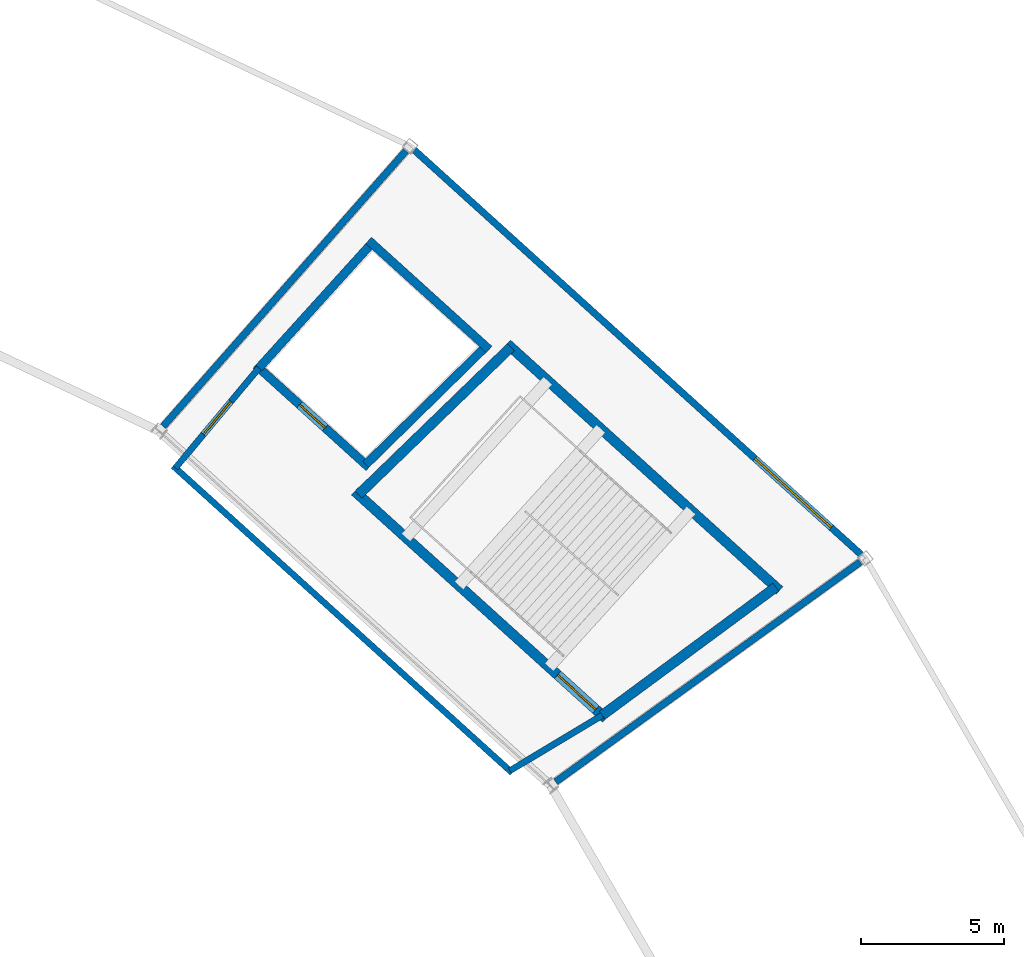
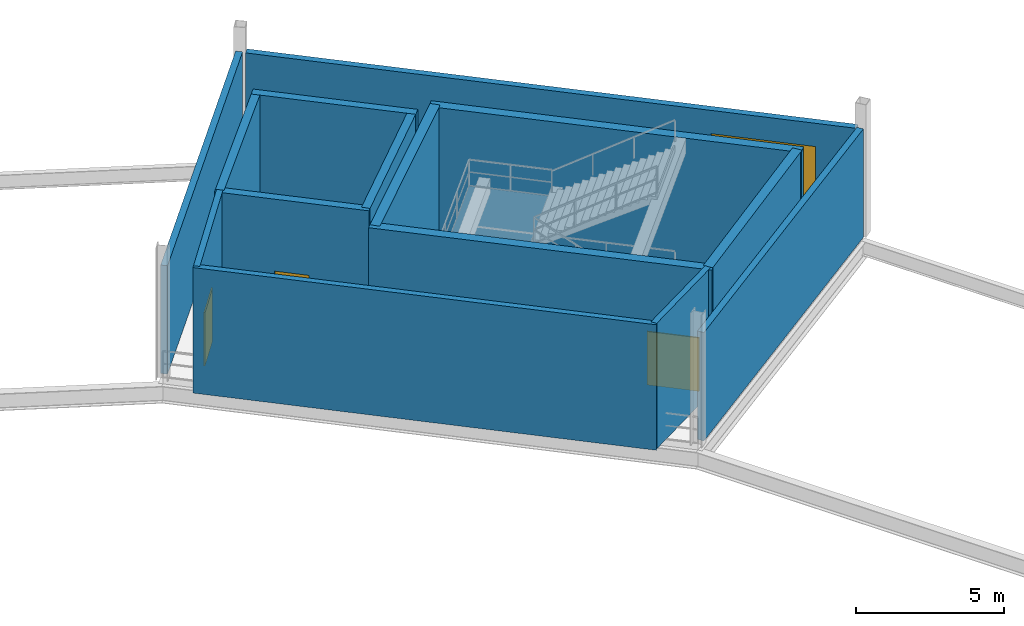
# One storey, part 73 of 86: 14 walls, 3 doors, 1 window, 4 openings.
"""IFC4 building model written with IfcOpenShell, lengths in metres."""

from ifc_helpers import new_model, si_unit, direction, frame, frame_2d, origin, place, context, subcontext, project, spatial, rectangle, extrude, material, layer, layer_set, type_object, element, fill, save


model = new_model("IFC4")

# Units and contexts
model_context = context("Model", 3, precision=1e-05, world=origin(), true_north=direction((0.0, 1.0)))
body_context = subcontext(model_context, "Body", "Model", "MODEL_VIEW")
ifc_project = project(units=[si_unit("LENGTHUNIT", "METRE"), si_unit("AREAUNIT", "SQUARE_METRE"), si_unit("VOLUMEUNIT", "CUBIC_METRE"), si_unit("PLANEANGLEUNIT", "RADIAN"), si_unit("MASSUNIT", "GRAM", prefix="KILO")], contexts=[model_context])

# Site, building, storey
site_placement = place(None, origin())
site = spatial("IfcSite", under=ifc_project, at=site_placement, CompositionType="ELEMENT")
building_placement = place(site_placement, origin())
building = spatial("IfcBuilding", under=site, at=building_placement, Name="Kazemori Nagisa Stadium", CompositionType="ELEMENT")
storey_placement = place(building_placement, frame((0.0, 0.0, 31.280029296875)))
storey = spatial("IfcBuildingStorey", under=building, at=storey_placement, Name="L06", CompositionType="ELEMENT", Elevation=31.280029296875)

# Wall, opening, door
ifc_material_1 = material(Name="Concrete C40/50 (Fc42)", Category="concrete")
ifc_layer_1 = layer(ifc_material_1, 0.35009765625, Name="Concrete C40/50 (Fc42)", Category="concrete")
ifc_layer_set_1 = layer_set([ifc_layer_1], Name="Concrete C40/50 (Fc42)")
wall_type_1 = type_object("IfcWallType", Name="Wall_W-CORE-350", PredefinedType="SHEAR", material=ifc_layer_set_1)
wall_1_placement = place(storey_placement, frame((192.438720703125, 153.072021484375, 0.0), z_axis=(0.0, 0.0, 1.0), x_axis=(-0.741358227035, 0.671109513572, 0.0)))
wall_1 = element("IfcWall", 1, at=wall_1_placement, inside=storey, type_object=wall_type_1, Name="Core stair front shear wall ST01 L06", PredefinedType="SHEAR", context=body_context, shape_type="SweptSolid", body=[
    extrude(rectangle(XDim=11.82666015625, YDim=0.35009765625, at=frame_2d((5.913330078125, 0.0))), origin(), (0.0, 0.0, 1.0), 5.159912109375),
])
opening_1_placement = place(wall_1_placement, frame((0.47509765625, 0.0, 0.0)))
opening_1 = element("IfcOpeningElement", 2, at=opening_1_placement, cuts=wall_1, Name="Opening D-ST-1800", PredefinedType="OPENING", context=body_context, shape_type="SweptSolid", body=[
    extrude(rectangle(XDim=1.800048828125, YDim=2.199951171875, at=frame_2d((0.89990234375, 1.10009765625))), frame((0.0, 0.18505859375, 0.0), z_axis=(0.0, -1.0, 0.0), x_axis=(1.0, 0.0, 0.0)), (0.0, 0.0, 1.0), 0.3701171875),
])
ifc_material_2 = material(Name="Galvanised steel sheet", Category="steel")
door_type_1 = type_object("IfcDoorType", Name="Door_D-ST-1800", OperationType="NOTDEFINED", PredefinedType="DOOR", material=ifc_material_2)
door_1_placement = place(opening_1_placement, frame((1.800048828125, 0.0, 0.0), z_axis=(0.0, 0.0, 1.0), x_axis=(-1.0, 0.0, 0.0)))
door_1 = element("IfcDoor", 3, at=door_1_placement, inside=storey, type_object=door_type_1, Name="Exit stair fire door ST01-L06", OperationType="SINGLE_SWING_RIGHT", OverallHeight=2.199951171875, OverallWidth=1.800048828125, PredefinedType="DOOR", context=body_context, shape_type="SweptSolid", body=[
    extrude(rectangle(XDim=1.800048828125, YDim=2.199951171875, at=frame_2d((0.89990234375, 1.10009765625))), frame((0.0, 0.02490234375, 0.0), z_axis=(0.0, -1.0, 0.0), x_axis=(1.0, 0.0, 0.0)), (0.0, 0.0, 1.0), 0.050048828125),
])
fill(opening_1, door_1)

# Walls
wall_2_placement = place(storey_placement, frame((198.499267578125, 157.548095703125, 0.0), z_axis=(0.0, 0.0, 1.0), x_axis=(-0.741351373721, 0.671117084183, 0.0)))
element("IfcWall", 4, at=wall_2_placement, inside=storey, type_object=wall_type_1, Name="Core stair rear shear wall ST01 L06", PredefinedType="SHEAR", context=body_context, shape_type="SweptSolid", body=[
    extrude(rectangle(XDim=12.830322265625, YDim=0.35009765625, at=frame_2d((6.4150390625, 0.0))), origin(), (0.0, 0.0, 1.0), 5.159912109375),
])
wall_3_placement = place(storey_placement, frame((192.308837890625, 153.189453125, 0.0), z_axis=(0.0, 0.0, 1.0), x_axis=(0.804395625347, 0.594093997548, 0.0)))
element("IfcWall", 5, at=wall_3_placement, inside=storey, type_object=wall_type_1, Name="Core stair left shear wall ST01 L06", PredefinedType="SHEAR", context=body_context, shape_type="SweptSolid", body=[
    extrude(rectangle(XDim=7.5341796875, YDim=0.35009765625, at=frame_2d((3.76708984375, 0.0))), origin(), (0.0, 0.0, 1.0), 5.159912109375),
])
wall_4_placement = place(storey_placement, frame((183.800537109375, 160.8916015625, 0.0), z_axis=(0.0, 0.0, 1.0), x_axis=(0.718297398554, 0.69573619083, 0.0)))
element("IfcWall", 6, at=wall_4_placement, inside=storey, type_object=wall_type_1, Name="Core stair right shear wall ST01 L06", PredefinedType="SHEAR", context=body_context, shape_type="SweptSolid", body=[
    extrude(rectangle(XDim=7.40185546875, YDim=0.35009765625, at=frame_2d((3.700927734375, 0.0))), origin(), (0.0, 0.0, 1.0), 5.159912109375),
])

# Wall, opening, window
ifc_material_3 = material(Name="Steel S355 (SN490B)", Category="steel")
ifc_layer_2 = layer(ifc_material_3, 0.239990234375, Name="Steel S355 (SN490B)", Category="steel")
ifc_layer_set_2 = layer_set([ifc_layer_2], Name="Steel S355 (SN490B)")
wall_type_2 = type_object("IfcWallType", Name="Wall_W-EXT-240", PredefinedType="SOLIDWALL", material=ifc_layer_set_2)
wall_5_placement = place(storey_placement, frame((201.34716796875, 158.8017578125, 0.0), z_axis=(0.0, 0.0, 1.0), x_axis=(-0.74134637924, 0.671122601309, 0.0)))
wall_5 = element("IfcWall", 7, at=wall_5_placement, inside=storey, type_object=wall_type_2, Name="Exterior facade wall L06-04", PredefinedType="SOLIDWALL", context=body_context, shape_type="SweptSolid", body=[
    extrude(rectangle(XDim=21.0439453125, YDim=0.239990234375, at=frame_2d((10.52197265625, 0.0))), origin(), (0.0, 0.0, 1.0), 4.35791015625),
])
opening_2_placement = place(wall_5_placement, frame((1.39990234375, 0.0, 1.0)))
opening_2 = element("IfcOpeningElement", 8, at=opening_2_placement, cuts=wall_5, Name="Opening WIN-L06-3600", PredefinedType="OPENING", context=body_context, shape_type="SweptSolid", body=[
    extrude(rectangle(XDim=3.60009765625, YDim=2.39990234375, at=frame_2d((1.800048828125, 1.199951171875))), frame((0.0, 0.1298828125, 0.0), z_axis=(0.0, -1.0, 0.0), x_axis=(1.0, 0.0, 0.0)), (0.0, 0.0, 1.0), 0.260009765625),
])
ifc_material_4 = material(Name="Low-e laminated double glazing", Category="glass")
window_type = type_object("IfcWindowType", Name="Window_WIN-L06-3600", PartitioningType="SINGLE_PANEL", PredefinedType="WINDOW", material=ifc_material_4)
window_placement = place(opening_2_placement, origin())
window = element("IfcWindow", 9, at=window_placement, inside=storey, type_object=window_type, Name="Core lobby window L06-04", OverallHeight=2.39990234375, OverallWidth=3.60009765625, PartitioningType="SINGLE_PANEL", PredefinedType="WINDOW", context=body_context, shape_type="SweptSolid", body=[
    extrude(rectangle(XDim=3.60009765625, YDim=2.39990234375, at=frame_2d((1.800048828125, 1.199951171875))), frame((0.0, 0.030029296875, 0.0), z_axis=(0.0, -1.0, 0.0), x_axis=(1.0, 0.0, 0.0)), (0.0, 0.0, 1.0), 0.06005859375),
])
fill(opening_2, window)

# Walls
wall_6_placement = place(storey_placement, frame((190.684326171875, 150.863037109375, 0.0), z_axis=(0.0, 0.0, 1.0), x_axis=(0.810798505274, 0.585325365797, 0.0)))
element("IfcWall", 10, at=wall_6_placement, inside=storey, type_object=wall_type_2, Name="Gondola end facade wall L06-B04L", PredefinedType="SOLIDWALL", context=body_context, shape_type="SweptSolid", body=[
    extrude(rectangle(XDim=13.11376953125, YDim=0.239990234375, at=frame_2d((6.556884765625, 0.0))), origin(), (0.0, 0.0, 1.0), 4.4580078125),
])
wall_7_placement = place(storey_placement, frame((176.979736328125, 163.27587890625, 0.0), z_axis=(0.0, 0.0, 1.0), x_axis=(0.661029266372, 0.750360119542, 0.0)))
element("IfcWall", 11, at=wall_7_placement, inside=storey, type_object=wall_type_2, Name="Gondola end facade wall L06-B04R", PredefinedType="SOLIDWALL", context=body_context, shape_type="SweptSolid", body=[
    extrude(rectangle(XDim=12.817626953125, YDim=0.239990234375, at=frame_2d((6.40869140625, 0.0))), origin(), (0.0, 0.0, 1.0), 4.4580078125),
])
ifc_material_5 = material(Name="Concrete C36/45 (Fc36)", Category="concrete")
ifc_layer_3 = layer(ifc_material_5, 0.219970703125, Name="Concrete C36/45 (Fc36)", Category="concrete")
ifc_layer_set_3 = layer_set([ifc_layer_3], Name="Concrete C36/45 (Fc36)")
wall_type_3 = type_object("IfcWallType", Name="Wall_W-LOBBY-220", PredefinedType="SOLIDWALL", material=ifc_layer_set_3)
wall_8_placement = place(storey_placement, frame((189.166259765625, 151.1806640625, 0.0), z_axis=(0.0, 0.0, 1.0), x_axis=(-0.741351035574, 0.671117457717, 0.0)))
element("IfcWall", 12, at=wall_8_placement, inside=storey, type_object=wall_type_3, Name="Core lobby fire wall ST01 L06", PredefinedType="SOLIDWALL", context=body_context, shape_type="SweptSolid", body=[
    extrude(rectangle(XDim=15.96923828125, YDim=0.219970703125, at=frame_2d((7.984619140625, 0.0))), origin(), (0.0, 0.0, 1.0), 5.159912109375),
])
wall_9_placement = place(storey_placement, frame((189.084716796875, 151.25439453125, 0.0), z_axis=(0.0, 0.0, 1.0), x_axis=(0.857424171966, 0.514610327654, 0.0)))
element("IfcWall", 13, at=wall_9_placement, inside=storey, type_object=wall_type_3, Name="Core lobby left wall ST01 L06", PredefinedType="SOLIDWALL", context=body_context, shape_type="SweptSolid", body=[
    extrude(rectangle(XDim=3.76025390625, YDim=0.219970703125, at=frame_2d((1.880126953125, 0.0))), origin(), (0.0, 0.0, 1.0), 5.159912109375),
])

# Wall, opening, door
wall_10_placement = place(storey_placement, frame((177.408935546875, 161.823974609375, 0.0), z_axis=(0.0, 0.0, 1.0), x_axis=(0.640759627034, 0.767741558315, 0.0)))
wall_10 = element("IfcWall", 14, at=wall_10_placement, inside=storey, type_object=wall_type_3, Name="Core lobby right wall ST01 L06", PredefinedType="SOLIDWALL", context=body_context, shape_type="SweptSolid", body=[
    extrude(rectangle(XDim=4.549072265625, YDim=0.219970703125, at=frame_2d((2.2744140625, 0.0))), origin(), (0.0, 0.0, 1.0), 5.159912109375),
])
opening_3_placement = place(wall_10_placement, frame((1.52392578125, 0.0, 0.0)))
opening_3 = element("IfcOpeningElement", 15, at=opening_3_placement, cuts=wall_10, Name="Opening D-FFL-1500", PredefinedType="OPENING", context=body_context, shape_type="SweptSolid", body=[
    extrude(rectangle(XDim=1.5, YDim=2.199951171875, at=frame_2d((0.75, 1.10009765625))), frame((0.0, 0.119873046875, 0.0), z_axis=(0.0, -1.0, 0.0), x_axis=(1.0, 0.0, 0.0)), (0.0, 0.0, 1.0), 0.239990234375),
])
door_type_2 = type_object("IfcDoorType", Name="Door_D-FFL-1500", OperationType="NOTDEFINED", PredefinedType="DOOR", material=ifc_material_2)
door_2_placement = place(opening_3_placement, origin())
door_2 = element("IfcDoor", 16, at=door_2_placement, inside=storey, type_object=door_type_2, Name="Protected lobby fire door ST01-L06", OperationType="DOUBLE_DOOR_SINGLE_SWING", OverallHeight=2.199951171875, OverallWidth=1.5, PredefinedType="DOOR", context=body_context, shape_type="SweptSolid", body=[
    extrude(rectangle(XDim=1.5, YDim=2.199951171875, at=frame_2d((0.75, 1.10009765625))), frame((0.0, 0.02490234375, 0.0), z_axis=(0.0, -1.0, 0.0), x_axis=(1.0, 0.0, 0.0)), (0.0, 0.0, 1.0), 0.050048828125),
])
fill(opening_3, door_2)

ifc_layer_4 = layer(ifc_material_1, 0.300048828125, Name="Concrete C40/50 (Fc42)", Category="concrete")
ifc_layer_set_4 = layer_set([ifc_layer_4], Name="Concrete C40/50 (Fc42)")
wall_type_4 = type_object("IfcWallType", Name="Wall_W-SHAFT-300", PredefinedType="SHEAR", material=ifc_layer_set_4)
wall_11_placement = place(storey_placement, frame((184.1630859375, 161.840576171875, 0.0), z_axis=(0.0, 0.0, 1.0), x_axis=(-0.741350155641, 0.671118429736, 0.0)))
wall_11 = element("IfcWall", 17, at=wall_11_placement, inside=storey, type_object=wall_type_4, Name="Lift shaft front wall FL1 L06", PredefinedType="SHEAR", context=body_context, shape_type="SweptSolid", body=[
    extrude(rectangle(XDim=5.3291015625, YDim=0.300048828125, at=frame_2d((2.66455078125, 0.0))), origin(), (0.0, 0.0, 1.0), 5.159912109375),
])
opening_4_placement = place(wall_11_placement, frame((2.06494140625, 0.0, 0.0)))
opening_4 = element("IfcOpeningElement", 18, at=opening_4_placement, cuts=wall_11, Name="Opening LD-FF", PredefinedType="OPENING", context=body_context, shape_type="SweptSolid", body=[
    extrude(rectangle(XDim=1.199951171875, YDim=2.199951171875, at=frame_2d((0.60009765625, 1.10009765625))), frame((0.0, 0.159912109375, 0.0), z_axis=(0.0, -1.0, 0.0), x_axis=(1.0, 0.0, 0.0)), (0.0, 0.0, 1.0), 0.320068359375),
])
ifc_material_6 = material(Name="Stainless steel SUS304", Category="steel")
door_type_3 = type_object("IfcDoorType", Name="Door_LD-FF", OperationType="SLIDING_TO_LEFT", PredefinedType="DOOR", material=ifc_material_6)
door_3_placement = place(opening_4_placement, origin())
door_3 = element("IfcDoor", 19, at=door_3_placement, inside=storey, type_object=door_type_3, Name="Lift landing door FL1-L06", OperationType="SLIDING_TO_LEFT", OverallHeight=2.199951171875, OverallWidth=1.199951171875, PredefinedType="DOOR", context=body_context, shape_type="SweptSolid", body=[
    extrude(rectangle(XDim=1.199951171875, YDim=2.199951171875, at=frame_2d((0.60009765625, 1.10009765625))), frame((0.0, 0.02490234375, 0.0), z_axis=(0.0, -1.0, 0.0), x_axis=(1.0, 0.0, 0.0)), (0.0, 0.0, 1.0), 0.050048828125),
])
fill(opening_4, door_3)

# Walls
wall_12_placement = place(storey_placement, frame((188.359619140625, 165.960693359375, 0.0), z_axis=(0.0, 0.0, 1.0), x_axis=(-0.74134208775, 0.671127341815, 0.0)))
element("IfcWall", 20, at=wall_12_placement, inside=storey, type_object=wall_type_4, Name="Lift shaft B wall FL1 L06", PredefinedType="SHEAR", context=body_context, shape_type="SweptSolid", body=[
    extrude(rectangle(XDim=5.674560546875, YDim=0.300048828125, at=frame_2d((2.83740234375, 0.0))), origin(), (0.0, 0.0, 1.0), 5.159912109375),
])
wall_13_placement = place(storey_placement, frame((184.052001953125, 161.941162109375, 0.0), z_axis=(0.0, 0.0, 1.0), x_axis=(0.713553028001, 0.700601224828, 0.0)))
element("IfcWall", 21, at=wall_13_placement, inside=storey, type_object=wall_type_4, Name="Lift shaft L wall FL1 L06", PredefinedType="SHEAR", context=body_context, shape_type="SweptSolid", body=[
    extrude(rectangle(XDim=5.881103515625, YDim=0.300048828125, at=frame_2d((2.9404296875, 0.0))), origin(), (0.0, 0.0, 1.0), 5.159912109375),
])
wall_14_placement = place(storey_placement, frame((180.32373046875, 165.31640625, 0.0), z_axis=(0.0, 0.0, 1.0), x_axis=(0.67115829282, 0.741314067031, 0.0)))
element("IfcWall", 22, at=wall_14_placement, inside=storey, type_object=wall_type_4, Name="Lift shaft R wall FL1 L06", PredefinedType="SHEAR", context=body_context, shape_type="SweptSolid", body=[
    extrude(rectangle(XDim=5.87060546875, YDim=0.300048828125, at=frame_2d((2.935302734375, 0.0))), origin(), (0.0, 0.0, 1.0), 5.159912109375),
])

save(model, "model.ifc")
